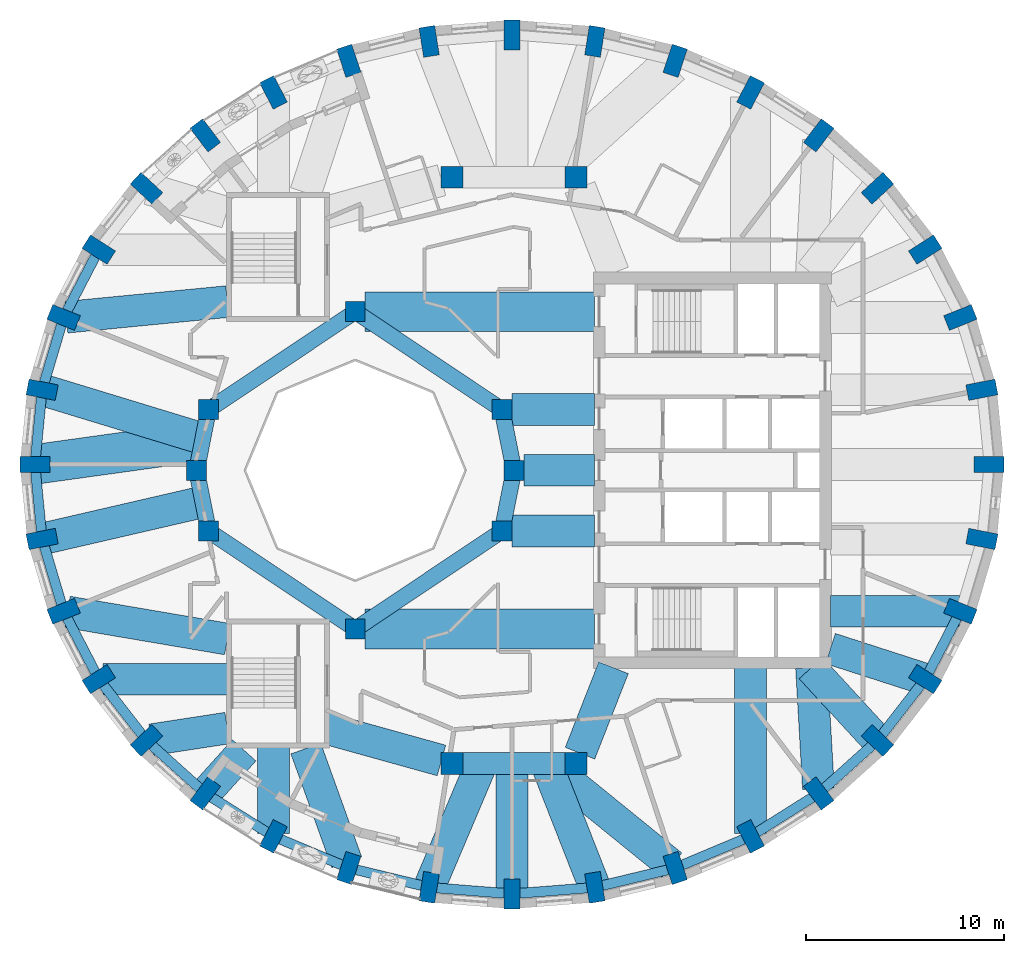
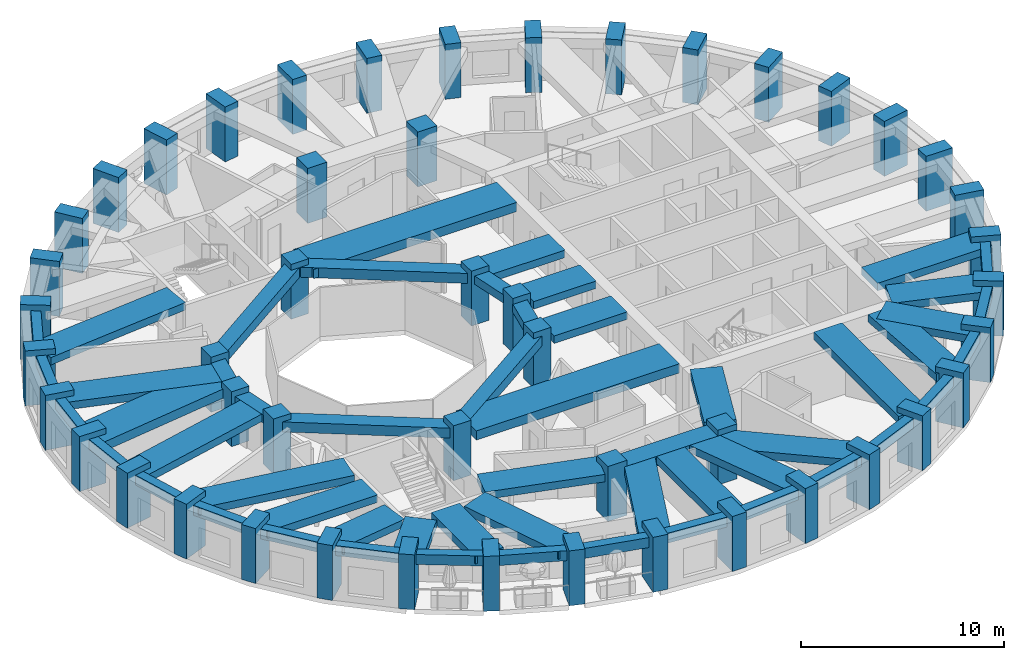
# One storey, part 1 of 12: 54 beams, 48 columns.
"""IFC4 building model written with IfcOpenShell, lengths in metres."""

from ifc_helpers import new_model, si_unit, direction, frame, origin, origin_2d, place, context, subcontext, project, spatial, rectangle, extrude, material, material_profile, profile_set, type_object, element, save


model = new_model("IFC4")

# Units and contexts
model_context = context("Model", 3, precision=1e-05, world=origin(), true_north=direction((0.0, 1.0)))
body_context = subcontext(model_context, "Body", "Model", "MODEL_VIEW")
ifc_project = project(units=[si_unit("LENGTHUNIT", "METRE"), si_unit("AREAUNIT", "SQUARE_METRE"), si_unit("VOLUMEUNIT", "CUBIC_METRE"), si_unit("PLANEANGLEUNIT", "RADIAN"), si_unit("MASSUNIT", "GRAM", prefix="KILO")], contexts=[model_context])

# Site, building, storey
site_placement = place(None, origin())
site = spatial("IfcSite", under=ifc_project, at=site_placement, CompositionType="ELEMENT")
building_placement = place(site_placement, origin())
building = spatial("IfcBuilding", under=site, at=building_placement, Name="Taillehof Tower", CompositionType="ELEMENT")
storey_placement = place(building_placement, frame((0.0, 0.0, 256.39990234375)))
storey = spatial("IfcBuildingStorey", under=building, at=storey_placement, Name="L73", CompositionType="ELEMENT", Elevation=256.39990234375)

# Columns
ifc_material_1 = material(Name="Concrete C50/60", Category="concrete")
ifc_material_profile_1 = material_profile(ifc_material_1, rectangle(XDim=1.0, YDim=1.0, at=origin_2d()), Name="RC 1000x1000")
ifc_profile_set_1 = profile_set([ifc_material_profile_1], Name="Concrete C50/60")
column_type_1 = type_object("IfcColumnType", Name="Atrium ring column C50/60 1000x1000", PredefinedType="COLUMN", material=ifc_profile_set_1)
for number, where, z_axis, x_axis, name in (
    (1, (0.0, 0.0, 0.0), (0.0, 0.0, 1.0), (1.0, 0.0, 0.0), "Column AC01"),
    (2, (-0.60888671875, 3.0615234375, 0.0), (0.0, 0.0, 1.0), (1.0, 0.0, 0.0), "Column AC02"),
    (3, (-8.0, 8.0, 0.0), (0.0, 0.0, 1.0), (1.0, 0.0, 0.0), "Column AC05"),
    (4, (-15.39111328125, 3.0615234375, 0.0), (0.0, 0.0, 1.0), (1.0, 0.0, 0.0), "Column AC08"),
    (5, (-16.0, 0.0, 0.0), (0.0, 0.0, 1.0), (1.0, 0.0, 0.0), "Column AC09"),
    (6, (-15.39111328125, -3.0615234375, 0.0), (0.0, 0.0, 1.0), (1.0, 0.0, 0.0), "Column AC10"),
    (7, (-8.0, -8.0, 0.0), (0.0, 0.0, 1.0), (1.0, 0.0, 0.0), "Column AC13"),
    (8, (-0.60888671875, -3.0615234375, 0.0), (0.0, 0.0, 1.0), (1.0, 0.0, 0.0), "Column AC16"),
):
    element("IfcColumn", number, at=place(storey_placement, frame(where, z_axis=z_axis, x_axis=x_axis)), inside=storey, type_object=column_type_1, Name=name, PredefinedType="COLUMN", context=body_context, shape_type="SweptSolid", body=[
        extrude(rectangle(XDim=1.0, YDim=1.0, at=origin_2d()), origin(), (0.0, 0.0, 1.0), 3.300048828125),
    ])
ifc_material_2 = material(Name="Concrete C50/60", Category="concrete")
ifc_material_profile_2 = material_profile(ifc_material_2, rectangle(XDim=1.10009765625, YDim=1.10009765625, at=origin_2d()), Name="RC 1100x1100")
ifc_profile_set_2 = profile_set([ifc_material_profile_2], Name="Concrete C50/60")
column_type_2 = type_object("IfcColumnType", Name="Mid-ring column C50/60 1100x1100", PredefinedType="COLUMN", material=ifc_profile_set_2)
for number, where, z_axis, x_axis, name in (
    (9, (3.125732421875, 14.772216796875, 0.0), (0.0, 0.0, 1.0), (1.0, 0.0, 0.0), "Column MC05"),
    (10, (-3.125732421875, 14.772216796875, 0.0), (0.0, 0.0, 1.0), (1.0, 0.0, 0.0), "Column MC06"),
    (11, (-3.125732421875, -14.772216796875, 0.0), (0.0, 0.0, 1.0), (1.0, 0.0, 0.0), "Column MC14"),
    (12, (3.125732421875, -14.772216796875, 0.0), (0.0, 0.0, 1.0), (1.0, 0.0, 0.0), "Column MC15"),
):
    element("IfcColumn", number, at=place(storey_placement, frame(where, z_axis=z_axis, x_axis=x_axis)), inside=storey, type_object=column_type_2, Name=name, PredefinedType="COLUMN", context=body_context, shape_type="SweptSolid", body=[
        extrude(rectangle(XDim=1.10009765625, YDim=1.10009765625, at=origin_2d()), origin(), (0.0, 0.0, 1.0), 3.300048828125),
    ])
ifc_material_3 = material(Name="Concrete C50/60", Category="concrete")
ifc_material_profile_3 = material_profile(ifc_material_3, rectangle(XDim=1.5, YDim=0.800048828125, at=origin_2d()), Name="RC 1500x800")
ifc_profile_set_3 = profile_set([ifc_material_profile_3], Name="Concrete C50/60")
column_type_3 = type_object("IfcColumnType", Name="Ring column C50/60 1500x800", PredefinedType="COLUMN", material=ifc_profile_set_3)
for number, where, z_axis, x_axis, name in (
    (13, (23.949951171875, 0.300048828125, 0.0), (0.0, 0.0, 1.0), (1.0, 0.0, 0.0), "Ring column RC01"),
    (14, (23.584716796875, 4.0595703125, 0.0), (0.0, 0.0, 1.0), (0.981472639166, 0.191602344891, 0.0), "Ring column RC02"),
    (15, (22.49951171875, 7.704833984375, 0.0), (0.0, 0.0, 1.0), (0.927524694272, 0.373761878092, 0.0), "Ring column RC03"),
    (16, (20.72802734375, 11.125, 0.0), (0.0, 0.0, 1.0), (0.842573772535, 0.538580948267, 0.0), "Ring column RC04"),
    (17, (18.323486328125, 14.21630859375, 0.0), (0.0, 0.0, 1.0), (0.73263579998, 0.680620881686, 0.0), "Ring column RC05"),
    (18, (15.359130859375, 16.884765625, 0.0), (0.0, 0.0, 1.0), (0.604020073066, 0.796969103123, 0.0), "Ring column RC06"),
    (19, (11.925048828125, 19.049560546875, 0.0), (0.0, 0.0, 1.0), (0.462383690865, 0.886679943622, 0.0), "Ring column RC07"),
    (20, (8.12548828125, 20.644287109375, 0.0), (0.0, 0.0, 1.0), (0.312304079287, 0.949982190391, 0.0), "Ring column RC08"),
    (21, (4.076171875, 21.62109375, 0.0), (0.0, 0.0, 1.0), (0.1572808136, 0.987553920388, 0.0), "Ring column RC09"),
    (22, (-0.10009765625, 21.949951171875, 0.0), (0.0, 0.0, 1.0), (0.0, 1.0, 0.0), "Ring column RC10"),
    (23, (-4.276123046875, 21.62109375, 0.0), (0.0, 0.0, 1.0), (-0.1572808136, 0.987553920388, 0.0), "Ring column RC11"),
    (24, (-8.32568359375, 20.644287109375, 0.0), (0.0, 0.0, 1.0), (-0.312304079287, 0.949982190391, 0.0), "Ring column RC12"),
    (25, (-12.125, 19.049560546875, 0.0), (0.0, 0.0, 1.0), (-0.462383690865, 0.886679943622, 0.0), "Ring column RC13"),
    (26, (-15.55908203125, 16.884765625, 0.0), (0.0, 0.0, 1.0), (-0.604020073066, 0.796969103123, 0.0), "Ring column RC14"),
    (27, (-18.5234375, 14.21630859375, 0.0), (0.0, 0.0, 1.0), (-0.73263579998, 0.680620881686, 0.0), "Ring column RC15"),
    (28, (-20.927978515625, 11.125, 0.0), (0.0, 0.0, 1.0), (-0.842573772535, 0.538580948267, 0.0), "Ring column RC16"),
    (29, (-22.69970703125, 7.704833984375, 0.0), (0.0, 0.0, 1.0), (-0.927524694272, 0.373761878092, 0.0), "Ring column RC17"),
    (30, (-23.78466796875, 4.0595703125, 0.0), (0.0, 0.0, 1.0), (-0.981472639166, 0.191602344891, 0.0), "Ring column RC18"),
    (31, (-24.14990234375, 0.300048828125, 0.0), (0.0, 0.0, 1.0), (-1.0, 0.0, 0.0), "Ring column RC19"),
    (32, (-23.78466796875, -3.45947265625, 0.0), (0.0, 0.0, 1.0), (-0.981472639166, -0.191602344891, 0.0), "Ring column RC20"),
    (33, (-22.69970703125, -7.104736328125, 0.0), (0.0, 0.0, 1.0), (-0.927524694272, -0.373761878092, 0.0), "Ring column RC21"),
    (34, (-20.927978515625, -10.52490234375, 0.0), (0.0, 0.0, 1.0), (-0.842573772535, -0.538580948267, 0.0), "Ring column RC22"),
    (35, (-18.5234375, -13.616455078125, 0.0), (0.0, 0.0, 1.0), (-0.73263579998, -0.680620881686, 0.0), "Ring column RC23"),
    (36, (-15.55908203125, -16.284912109375, 0.0), (0.0, 0.0, 1.0), (-0.604020073066, -0.796969103123, 0.0), "Ring column RC24"),
    (37, (-12.125, -18.449462890625, 0.0), (0.0, 0.0, 1.0), (-0.462383690865, -0.886679943622, 0.0), "Ring column RC25"),
    (38, (-8.32568359375, -20.04443359375, 0.0), (0.0, 0.0, 1.0), (-0.312304079287, -0.949982190391, 0.0), "Ring column RC26"),
    (39, (-4.276123046875, -21.02099609375, 0.0), (0.0, 0.0, 1.0), (-0.1572808136, -0.987553920388, 0.0), "Ring column RC27"),
    (40, (-0.10009765625, -21.35009765625, 0.0), (0.0, 0.0, 1.0), (0.0, -1.0, 0.0), "Ring column RC28"),
    (41, (4.076171875, -21.02099609375, 0.0), (0.0, 0.0, 1.0), (0.1572808136, -0.987553920388, 0.0), "Ring column RC29"),
    (42, (8.12548828125, -20.04443359375, 0.0), (0.0, 0.0, 1.0), (0.312304079287, -0.949982190391, 0.0), "Ring column RC30"),
    (43, (11.925048828125, -18.449462890625, 0.0), (0.0, 0.0, 1.0), (0.462383690865, -0.886679943622, 0.0), "Ring column RC31"),
    (44, (15.359130859375, -16.284912109375, 0.0), (0.0, 0.0, 1.0), (0.604020073066, -0.796969103123, 0.0), "Ring column RC32"),
    (45, (18.323486328125, -13.616455078125, 0.0), (0.0, 0.0, 1.0), (0.73263579998, -0.680620881686, 0.0), "Ring column RC33"),
    (46, (20.72802734375, -10.52490234375, 0.0), (0.0, 0.0, 1.0), (0.842573772535, -0.538580948267, 0.0), "Ring column RC34"),
    (47, (22.49951171875, -7.104736328125, 0.0), (0.0, 0.0, 1.0), (0.927524694272, -0.373761878092, 0.0), "Ring column RC35"),
    (48, (23.584716796875, -3.45947265625, 0.0), (0.0, 0.0, 1.0), (0.981472639166, -0.191602344891, 0.0), "Ring column RC36"),
):
    element("IfcColumn", number, at=place(storey_placement, frame(where, z_axis=z_axis, x_axis=x_axis)), inside=storey, type_object=column_type_3, Name=name, PredefinedType="COLUMN", context=body_context, shape_type="SweptSolid", body=[
        extrude(rectangle(XDim=1.5, YDim=0.800048828125, at=origin_2d()), origin(), (0.0, 0.0, 1.0), 3.300048828125),
    ])

# Beams
ifc_material_4 = material(Name="Concrete C50/60", Category="concrete")
ifc_material_profile_4 = material_profile(ifc_material_4, rectangle(XDim=0.800048828125, YDim=0.5, at=origin_2d()), Name="RC 800x500")
ifc_profile_set_4 = profile_set([ifc_material_profile_4], Name="Concrete C50/60")
beam_type_1 = type_object("IfcBeamType", Name="Atrium ring beam C50/60 800x500", PredefinedType="BEAM", material=ifc_profile_set_4)
for number, where, z_axis, x_axis, name in (
    (49, (0.0, 0.0, 2.7001953125), (-0.195063155143, 0.980790683839, 0.0), (-0.980790683839, -0.195063155143, 0.0), "Atrium ring beam AB01"),
    (50, (-15.39111328125, 3.0615234375, 2.7001953125), (-0.195063155143, -0.980790683839, 0.0), (0.980790683839, -0.195063155143, 0.0), "Atrium ring beam AB04"),
    (51, (-16.0, 0.0, 2.7001953125), (0.195063155143, -0.980790683839, 0.0), (0.980790683839, 0.195063155143, 0.0), "Atrium ring beam AB05"),
    (52, (-0.60888671875, -3.0615234375, 2.7001953125), (0.195063155143, 0.980790683839, 0.0), (-0.980790683839, 0.195063155143, 0.0), "Atrium ring beam AB08"),
):
    element("IfcBeam", number, at=place(storey_placement, frame(where, z_axis=z_axis, x_axis=x_axis)), inside=storey, type_object=beam_type_1, Name=name, PredefinedType="BEAM", context=body_context, shape_type="SweptSolid", body=[
        extrude(rectangle(XDim=0.800048828125, YDim=0.5, at=origin_2d()), origin(), (0.0, 0.0, 1.0), 3.12158203125),
    ])
ifc_material_5 = material(Name="Concrete C50/60", Category="concrete")
ifc_material_profile_5 = material_profile(ifc_material_5, rectangle(XDim=0.800048828125, YDim=0.60009765625, at=origin_2d()), Name="RC 800x600")
ifc_profile_set_5 = profile_set([ifc_material_profile_5], Name="Concrete C50/60")
beam_type_2 = type_object("IfcBeamType", Name="Atrium ring beam C50/60 800x600", PredefinedType="BEAM", material=ifc_profile_set_5)
for number, where, z_axis, x_axis, name in (
    (53, (-0.60888671875, 3.0615234375, 2.650146484375), (-0.831475195687, 0.555561876804, 0.0), (-0.555561876804, -0.831475195687, 0.0), "Atrium ring beam AB02"),
    (54, (-8.0, 8.0, 2.650146484375), (-0.831475195687, -0.555561876804, 0.0), (0.555561876804, -0.831475195687, 0.0), "Atrium ring beam AB03"),
    (55, (-15.39111328125, -3.0615234375, 2.650146484375), (0.831475195687, -0.555561876804, 0.0), (0.555561876804, 0.831475195687, 0.0), "Atrium ring beam AB06"),
    (56, (-8.0, -8.0, 2.650146484375), (0.831475195687, 0.555561876804, 0.0), (-0.555561876804, 0.831475195687, 0.0), "Atrium ring beam AB07"),
):
    element("IfcBeam", number, at=place(storey_placement, frame(where, z_axis=z_axis, x_axis=x_axis)), inside=storey, type_object=beam_type_2, Name=name, PredefinedType="BEAM", context=body_context, shape_type="SweptSolid", body=[
        extrude(rectangle(XDim=0.800048828125, YDim=0.60009765625, at=origin_2d()), origin(), (0.0, 0.0, 1.0), 8.88916015625),
    ])
ifc_material_6 = material(Name="Concrete C50/60", Category="concrete")
ifc_material_profile_6 = material_profile(ifc_material_6, rectangle(XDim=1.10009765625, YDim=0.60009765625, at=origin_2d()), Name="RC 1100x600")
ifc_profile_set_6 = profile_set([ifc_material_profile_6], Name="Concrete C50/60")
beam_type_3 = type_object("IfcBeamType", Name="Mid-ring beam C50/60 1100x600", PredefinedType="BEAM", material=ifc_profile_set_6)
beam_1_placement = place(storey_placement, frame((-3.125732421875, -14.772216796875, 2.650146484375), z_axis=(1.0, 0.0, 0.0), x_axis=(0.0, 1.0, 0.0)))
element("IfcBeam", 57, at=beam_1_placement, inside=storey, type_object=beam_type_3, Name="Mid-ring beam MB02", PredefinedType="BEAM", context=body_context, shape_type="SweptSolid", body=[
    extrude(rectangle(XDim=1.10009765625, YDim=0.60009765625, at=origin_2d()), origin(), (0.0, 0.0, 1.0), 6.25146484375),
])
ifc_material_7 = material(Name="Concrete C50/60", Category="concrete")
ifc_material_profile_7 = material_profile(ifc_material_7, rectangle(XDim=1.60009765625, YDim=0.449951171875, at=origin_2d()), Name="RC 1600x450")
ifc_profile_set_7 = profile_set([ifc_material_profile_7], Name="Concrete C50/60")
beam_type_4 = type_object("IfcBeamType", Name="Radial band beam C50/60 1600x450", PredefinedType="BEAM", material=ifc_profile_set_7)
beam_2_placement = place(storey_placement, frame((-22.564697265625, 7.7177734375, 2.72509765625), z_axis=(0.995328408647, 0.096547185049, 0.0), x_axis=(-0.096547185049, 0.995328408647, 0.0)))
element("IfcBeam", 58, at=beam_2_placement, inside=storey, type_object=beam_type_4, Name="Radial band beam RB17", PredefinedType="BEAM", context=body_context, shape_type="SweptSolid", body=[
    extrude(rectangle(XDim=1.60009765625, YDim=0.449951171875, at=origin_2d()), origin(), (0.0, 0.0, 1.0), 8.152587890625),
])
beam_3_placement = place(storey_placement, frame((-23.78466796875, 4.0595703125, 2.72509765625), z_axis=(0.956552302924, -0.291560785721, 0.0), x_axis=(0.291560785721, 0.956552302924, 0.0)))
element("IfcBeam", 59, at=beam_3_placement, inside=storey, type_object=beam_type_4, Name="Radial band beam RB18", PredefinedType="BEAM", context=body_context, shape_type="SweptSolid", body=[
    extrude(rectangle(XDim=1.60009765625, YDim=0.449951171875, at=origin_2d()), origin(), (0.0, 0.0, 1.0), 8.468994140625),
])
beam_4_placement = place(storey_placement, frame((-23.78466796875, -3.45947265625, 2.72509765625), z_axis=(0.974400103511, 0.224820902672, 0.0), x_axis=(-0.224820902672, 0.974400103511, 0.0)))
element("IfcBeam", 60, at=beam_4_placement, inside=storey, type_object=beam_type_4, Name="Radial band beam RB20", PredefinedType="BEAM", context=body_context, shape_type="SweptSolid", body=[
    extrude(rectangle(XDim=1.60009765625, YDim=0.449951171875, at=origin_2d()), origin(), (0.0, 0.0, 1.0), 8.31396484375),
])
beam_5_placement = place(storey_placement, frame((-22.502685546875, -7.13818359375, 2.72509765625), z_axis=(0.985830005482, -0.167747430059, 0.0), x_axis=(0.167747430059, 0.985830005482, 0.0)))
element("IfcBeam", 61, at=beam_5_placement, inside=storey, type_object=beam_type_4, Name="Radial band beam RB21", PredefinedType="BEAM", context=body_context, shape_type="SweptSolid", body=[
    extrude(rectangle(XDim=1.60009765625, YDim=0.449951171875, at=origin_2d()), origin(), (0.0, 0.0, 1.0), 8.167724609375),
])
beam_6_placement = place(storey_placement, frame((-20.7119140625, -10.52490234375, 2.72509765625), z_axis=(1.0, 0.0, 0.0), x_axis=(0.0, 1.0, 0.0)))
element("IfcBeam", 62, at=beam_6_placement, inside=storey, type_object=beam_type_4, Name="Radial band beam RB22", PredefinedType="BEAM", context=body_context, shape_type="SweptSolid", body=[
    extrude(rectangle(XDim=1.60009765625, YDim=0.449951171875, at=origin_2d()), origin(), (0.0, 0.0, 1.0), 6.261962890625),
])
beam_7_placement = place(storey_placement, frame((-18.283447265625, -13.57958984375, 2.72509765625), z_axis=(0.988468308682, 0.151427879634, 0.0), x_axis=(-0.151427879634, 0.988468308682, 0.0)))
element("IfcBeam", 63, at=beam_7_placement, inside=storey, type_object=beam_type_4, Name="Radial band beam RB23", PredefinedType="BEAM", context=body_context, shape_type="SweptSolid", body=[
    extrude(rectangle(XDim=1.60009765625, YDim=0.449951171875, at=origin_2d()), origin(), (0.0, 0.0, 1.0), 3.87744140625),
])
beam_8_placement = place(storey_placement, frame((-15.55908203125, -16.284912109375, 2.72509765625), z_axis=(0.669439419649, 0.742866652516, 0.0), x_axis=(-0.742866652516, 0.669439419649, 0.0)))
element("IfcBeam", 64, at=beam_8_placement, inside=storey, type_object=beam_type_4, Name="Radial band beam RB24", PredefinedType="BEAM", context=body_context, shape_type="SweptSolid", body=[
    extrude(rectangle(XDim=1.60009765625, YDim=0.449951171875, at=origin_2d()), origin(), (0.0, 0.0, 1.0), 2.926025390625),
])
beam_9_placement = place(storey_placement, frame((-12.125, -18.3154296875, 2.72509765625), z_axis=(0.0, 1.0, 0.0), x_axis=(-1.0, 0.0, 0.0)))
element("IfcBeam", 65, at=beam_9_placement, inside=storey, type_object=beam_type_4, Name="Radial band beam RB25", PredefinedType="BEAM", context=body_context, shape_type="SweptSolid", body=[
    extrude(rectangle(XDim=1.60009765625, YDim=0.449951171875, at=origin_2d()), origin(), (0.0, 0.0, 1.0), 4.365478515625),
])
beam_10_placement = place(storey_placement, frame((-8.42919921875, -19.755859375, 2.72509765625), z_axis=(-0.338515207556, 0.940960920683, 0.0), x_axis=(-0.940960920683, -0.338515207556, 0.0)))
element("IfcBeam", 66, at=beam_10_placement, inside=storey, type_object=beam_type_4, Name="Radial band beam RB26", PredefinedType="BEAM", context=body_context, shape_type="SweptSolid", body=[
    extrude(rectangle(XDim=1.60009765625, YDim=0.449951171875, at=origin_2d()), origin(), (0.0, 0.0, 1.0), 6.094970703125),
])
beam_11_placement = place(storey_placement, frame((-4.276123046875, -21.02099609375, 2.72509765625), z_axis=(0.390474101739, 0.920613912491, 0.0), x_axis=(-0.920613912491, 0.390474101739, 0.0)))
element("IfcBeam", 67, at=beam_11_placement, inside=storey, type_object=beam_type_4, Name="Radial band beam RB27", PredefinedType="BEAM", context=body_context, shape_type="SweptSolid", body=[
    extrude(rectangle(XDim=1.60009765625, YDim=0.449951171875, at=origin_2d()), origin(), (0.0, 0.0, 1.0), 6.78759765625),
])
beam_12_placement = place(storey_placement, frame((-0.10009765625, -21.35009765625, 2.72509765625), z_axis=(0.0, 1.0, 0.0), x_axis=(-1.0, 0.0, 0.0)))
element("IfcBeam", 68, at=beam_12_placement, inside=storey, type_object=beam_type_4, Name="Radial band beam RB28", PredefinedType="BEAM", context=body_context, shape_type="SweptSolid", body=[
    extrude(rectangle(XDim=1.60009765625, YDim=0.449951171875, at=origin_2d()), origin(), (0.0, 0.0, 1.0), 6.577880859375),
])
beam_13_placement = place(storey_placement, frame((4.076171875, -21.02099609375, 2.72509765625), z_axis=(-0.365079492969, 0.93097634976, 0.0), x_axis=(-0.93097634976, -0.365079492969, 0.0)))
element("IfcBeam", 69, at=beam_13_placement, inside=storey, type_object=beam_type_4, Name="Radial band beam RB29", PredefinedType="BEAM", context=body_context, shape_type="SweptSolid", body=[
    extrude(rectangle(XDim=1.60009765625, YDim=0.449951171875, at=origin_2d()), origin(), (0.0, 0.0, 1.0), 6.712158203125),
])
beam_14_placement = place(storey_placement, frame((7.9560546875, -19.90673828125, 2.72509765625), z_axis=(-0.776646099525, 0.629937168369, 0.0), x_axis=(-0.629937168369, -0.776646099525, 0.0)))
element("IfcBeam", 70, at=beam_14_placement, inside=storey, type_object=beam_type_4, Name="Radial band beam RB30", PredefinedType="BEAM", context=body_context, shape_type="SweptSolid", body=[
    extrude(rectangle(XDim=1.60009765625, YDim=0.449951171875, at=origin_2d()), origin(), (0.0, 0.0, 1.0), 8.03759765625),
])
beam_15_placement = place(storey_placement, frame((11.925048828125, -18.3154296875, 2.72509765625), z_axis=(0.0, 1.0, 0.0), x_axis=(-1.0, 0.0, 0.0)))
element("IfcBeam", 71, at=beam_15_placement, inside=storey, type_object=beam_type_4, Name="Radial band beam RB31", PredefinedType="BEAM", context=body_context, shape_type="SweptSolid", body=[
    extrude(rectangle(XDim=1.60009765625, YDim=0.449951171875, at=origin_2d()), origin(), (0.0, 0.0, 1.0), 8.365478515625),
])
beam_16_placement = place(storey_placement, frame((15.345703125, -16.050537109375, 2.72509765625), z_axis=(-0.057056617778, 0.998370944273, 0.0), x_axis=(-0.998370944273, -0.057056617778, 0.0)))
element("IfcBeam", 72, at=beam_16_placement, inside=storey, type_object=beam_type_4, Name="Radial band beam RB32", PredefinedType="BEAM", context=body_context, shape_type="SweptSolid", body=[
    extrude(rectangle(XDim=1.60009765625, YDim=0.449951171875, at=origin_2d()), origin(), (0.0, 0.0, 1.0), 6.1103515625),
])
beam_17_placement = place(storey_placement, frame((18.323486328125, -13.616455078125, 2.72509765625), z_axis=(-0.676659897365, 0.736295717289, 0.0), x_axis=(-0.736295717289, -0.676659897365, 0.0)))
element("IfcBeam", 73, at=beam_17_placement, inside=storey, type_object=beam_type_4, Name="Radial band beam RB33", PredefinedType="BEAM", context=body_context, shape_type="SweptSolid", body=[
    extrude(rectangle(XDim=1.60009765625, YDim=0.449951171875, at=origin_2d()), origin(), (0.0, 0.0, 1.0), 4.961669921875),
])
beam_18_placement = place(storey_placement, frame((20.72802734375, -10.52490234375, 2.72509765625), z_axis=(-0.951722832358, 0.306958711178, 0.0), x_axis=(-0.306958711178, -0.951722832358, 0.0)))
element("IfcBeam", 74, at=beam_18_placement, inside=storey, type_object=beam_type_4, Name="Radial band beam RB34", PredefinedType="BEAM", context=body_context, shape_type="SweptSolid", body=[
    extrude(rectangle(XDim=1.60009765625, YDim=0.449951171875, at=origin_2d()), origin(), (0.0, 0.0, 1.0), 5.017822265625),
])
beam_19_placement = place(storey_placement, frame((22.44580078125, -7.104736328125, 2.72509765625), z_axis=(-1.0, 0.0, 0.0), x_axis=(0.0, -1.0, 0.0)))
element("IfcBeam", 75, at=beam_19_placement, inside=storey, type_object=beam_type_4, Name="Radial band beam RB35", PredefinedType="BEAM", context=body_context, shape_type="SweptSolid", body=[
    extrude(rectangle(XDim=1.60009765625, YDim=0.449951171875, at=origin_2d()), origin(), (0.0, 0.0, 1.0), 6.495849609375),
])
beam_20_placement = place(storey_placement, frame((0.5, 0.0, 2.72509765625), z_axis=(1.0, 0.0, 0.0), x_axis=(0.0, 1.0, 0.0)))
element("IfcBeam", 76, at=beam_20_placement, inside=storey, type_object=beam_type_4, Name="Inner band beam IB101", PredefinedType="BEAM", context=body_context, shape_type="SweptSolid", body=[
    extrude(rectangle(XDim=1.60009765625, YDim=0.449951171875, at=origin_2d()), origin(), (0.0, 0.0, 1.0), 3.550048828125),
])
for number, where, z_axis, x_axis, name in (
    (77, (-0.10888671875, 3.0615234375, 2.72509765625), (1.0, 0.0, 0.0), (0.0, 1.0, 0.0), "Inner band beam IB102"),
    (78, (-0.10888671875, -3.0615234375, 2.72509765625), (1.0, 0.0, 0.0), (0.0, 1.0, 0.0), "Inner band beam IB116"),
):
    element("IfcBeam", number, at=place(storey_placement, frame(where, z_axis=z_axis, x_axis=x_axis)), inside=storey, type_object=beam_type_4, Name=name, PredefinedType="BEAM", context=body_context, shape_type="SweptSolid", body=[
        extrude(rectangle(XDim=1.60009765625, YDim=0.449951171875, at=origin_2d()), origin(), (0.0, 0.0, 1.0), 4.158935546875),
    ])
beam_21_placement = place(storey_placement, frame((-3.655517578125, -14.624755859375, 2.72509765625), z_axis=(-0.963459369536, 0.267854518821, 0.0), x_axis=(-0.267854518821, -0.963459369536, 0.0)))
element("IfcBeam", 79, at=beam_21_placement, inside=storey, type_object=beam_type_4, Name="Inner band beam IB214", PredefinedType="BEAM", context=body_context, shape_type="SweptSolid", body=[
    extrude(rectangle(XDim=1.60009765625, YDim=0.449951171875, at=origin_2d()), origin(), (0.0, 0.0, 1.0), 6.096923828125),
])
beam_22_placement = place(storey_placement, frame((3.32666015625, -14.26025390625, 2.72509765625), z_axis=(0.365588707223, 0.930776502255, 0.0), x_axis=(-0.930776502255, 0.365588707223, 0.0)))
element("IfcBeam", 80, at=beam_22_placement, inside=storey, type_object=beam_type_4, Name="Inner band beam IB215", PredefinedType="BEAM", context=body_context, shape_type="SweptSolid", body=[
    extrude(rectangle(XDim=1.60009765625, YDim=0.449951171875, at=origin_2d()), origin(), (0.0, 0.0, 1.0), 4.627197265625),
])
ifc_material_8 = material(Name="Concrete C50/60", Category="concrete")
ifc_material_profile_8 = material_profile(ifc_material_8, rectangle(XDim=2.0, YDim=0.550048828125, at=origin_2d()), Name="RC 2000x550")
ifc_profile_set_8 = profile_set([ifc_material_profile_8], Name="Concrete C50/60")
beam_type_5 = type_object("IfcBeamType", Name="Radial band beam C50/60 2000x550", PredefinedType="BEAM", material=ifc_profile_set_8)
beam_23_placement = place(storey_placement, frame((-24.14990234375, 0.300048828125, 2.675048828125), z_axis=(0.990515351696, 0.137402103528, 0.0), x_axis=(-0.137402103528, 0.990515351696, 0.0)))
element("IfcBeam", 81, at=beam_23_placement, inside=storey, type_object=beam_type_5, Name="Radial band beam RB19", PredefinedType="BEAM", context=body_context, shape_type="SweptSolid", body=[
    extrude(rectangle(XDim=2.0, YDim=0.550048828125, at=origin_2d()), origin(), (0.0, 0.0, 1.0), 8.5234375),
])
for number, where, z_axis, x_axis, name in (
    (82, (-7.5, 8.0, 2.675048828125), (1.0, 0.0, 0.0), (0.0, 1.0, 0.0), "Inner band beam IB105"),
    (83, (-7.5, -8.0, 2.675048828125), (1.0, 0.0, 0.0), (0.0, 1.0, 0.0), "Inner band beam IB113"),
):
    element("IfcBeam", number, at=place(storey_placement, frame(where, z_axis=z_axis, x_axis=x_axis)), inside=storey, type_object=beam_type_5, Name=name, PredefinedType="BEAM", context=body_context, shape_type="SweptSolid", body=[
        extrude(rectangle(XDim=2.0, YDim=0.550048828125, at=origin_2d()), origin(), (0.0, 0.0, 1.0), 11.550048828125),
    ])
ifc_material_9 = material(Name="Concrete C50/60", Category="concrete")
ifc_material_profile_9 = material_profile(ifc_material_9, rectangle(XDim=0.5, YDim=0.60009765625, at=origin_2d()), Name="RC 500x600")
ifc_profile_set_9 = profile_set([ifc_material_profile_9], Name="Concrete C50/60")
beam_type_6 = type_object("IfcBeamType", Name="Spandrel beam C50/60 500x600", PredefinedType="SPANDREL", material=ifc_profile_set_9)
beam_24_placement = place(storey_placement, frame((-20.927978515625, 11.125, 2.650146484375), z_axis=(-0.459971160554, -0.88793385534, 0.0), x_axis=(0.88793385534, -0.459971160554, 0.0)))
element("IfcBeam", 84, at=beam_24_placement, inside=storey, type_object=beam_type_6, Name="Spandrel beam SB16", PredefinedType="SPANDREL", context=body_context, shape_type="SweptSolid", body=[
    extrude(rectangle(XDim=0.5, YDim=0.60009765625, at=origin_2d()), origin(), (0.0, 0.0, 1.0), 3.851806640625),
])
beam_25_placement = place(storey_placement, frame((-22.69970703125, 7.704833984375, 2.650146484375), z_axis=(-0.285268336874, -0.958447690788, 0.0), x_axis=(0.958447690788, -0.285268336874, 0.0)))
element("IfcBeam", 85, at=beam_25_placement, inside=storey, type_object=beam_type_6, Name="Spandrel beam SB17", PredefinedType="SPANDREL", context=body_context, shape_type="SweptSolid", body=[
    extrude(rectangle(XDim=0.5, YDim=0.60009765625, at=origin_2d()), origin(), (0.0, 0.0, 1.0), 3.80322265625),
])
for number, where, z_axis, x_axis, name in (
    (86, (-23.78466796875, 4.0595703125, 2.650146484375), (-0.096693940319, -0.995314162416, 0.0), (0.995314162416, -0.096693940319, 0.0), "Spandrel beam SB18"),
    (87, (-24.14990234375, 0.300048828125, 2.650146484375), (0.096693940319, -0.995314162416, 0.0), (0.995314162416, 0.096693940319, 0.0), "Spandrel beam SB19"),
):
    element("IfcBeam", number, at=place(storey_placement, frame(where, z_axis=z_axis, x_axis=x_axis)), inside=storey, type_object=beam_type_6, Name=name, PredefinedType="SPANDREL", context=body_context, shape_type="SweptSolid", body=[
        extrude(rectangle(XDim=0.5, YDim=0.60009765625, at=origin_2d()), origin(), (0.0, 0.0, 1.0), 3.777099609375),
    ])
beam_26_placement = place(storey_placement, frame((-23.78466796875, -3.45947265625, 2.650146484375), z_axis=(0.285268336874, -0.958447690788, 0.0), x_axis=(0.958447690788, 0.285268336874, 0.0)))
element("IfcBeam", 88, at=beam_26_placement, inside=storey, type_object=beam_type_6, Name="Spandrel beam SB20", PredefinedType="SPANDREL", context=body_context, shape_type="SweptSolid", body=[
    extrude(rectangle(XDim=0.5, YDim=0.60009765625, at=origin_2d()), origin(), (0.0, 0.0, 1.0), 3.80322265625),
])
beam_27_placement = place(storey_placement, frame((-22.69970703125, -7.104736328125, 2.650146484375), z_axis=(0.459971160554, -0.88793385534, 0.0), x_axis=(0.88793385534, 0.459971160554, 0.0)))
element("IfcBeam", 89, at=beam_27_placement, inside=storey, type_object=beam_type_6, Name="Spandrel beam SB21", PredefinedType="SPANDREL", context=body_context, shape_type="SweptSolid", body=[
    extrude(rectangle(XDim=0.5, YDim=0.60009765625, at=origin_2d()), origin(), (0.0, 0.0, 1.0), 3.851806640625),
])
beam_28_placement = place(storey_placement, frame((-20.927978515625, -10.52490234375, 2.650146484375), z_axis=(0.613940613515, -0.789352217376, 0.0), x_axis=(0.789352217376, 0.613940613515, 0.0)))
element("IfcBeam", 90, at=beam_28_placement, inside=storey, type_object=beam_type_6, Name="Spandrel beam SB22", PredefinedType="SPANDREL", context=body_context, shape_type="SweptSolid", body=[
    extrude(rectangle(XDim=0.5, YDim=0.60009765625, at=origin_2d()), origin(), (0.0, 0.0, 1.0), 3.91650390625),
])
beam_29_placement = place(storey_placement, frame((-18.5234375, -13.616455078125, 2.650146484375), z_axis=(0.743227182134, -0.669039128704, 0.0), x_axis=(0.669039128704, 0.743227182134, 0.0)))
element("IfcBeam", 91, at=beam_29_placement, inside=storey, type_object=beam_type_6, Name="Spandrel beam SB23", PredefinedType="SPANDREL", context=body_context, shape_type="SweptSolid", body=[
    extrude(rectangle(XDim=0.5, YDim=0.60009765625, at=origin_2d()), origin(), (0.0, 0.0, 1.0), 3.988525390625),
])
beam_30_placement = place(storey_placement, frame((-15.55908203125, -16.284912109375, 2.650146484375), z_axis=(0.845971606716, -0.533227944344, 0.0), x_axis=(0.533227944344, 0.845971606716, 0.0)))
element("IfcBeam", 92, at=beam_30_placement, inside=storey, type_object=beam_type_6, Name="Spandrel beam SB24", PredefinedType="SPANDREL", context=body_context, shape_type="SweptSolid", body=[
    extrude(rectangle(XDim=0.5, YDim=0.60009765625, at=origin_2d()), origin(), (0.0, 0.0, 1.0), 4.059326171875),
])
beam_31_placement = place(storey_placement, frame((-12.125, -18.449462890625, 2.650146484375), z_axis=(0.922046399446, -0.387079368178, 0.0), x_axis=(0.387079368178, 0.922046399446, 0.0)))
element("IfcBeam", 93, at=beam_31_placement, inside=storey, type_object=beam_type_6, Name="Spandrel beam SB25", PredefinedType="SPANDREL", context=body_context, shape_type="SweptSolid", body=[
    extrude(rectangle(XDim=0.5, YDim=0.60009765625, at=origin_2d()), origin(), (0.0, 0.0, 1.0), 4.12060546875),
])
beam_32_placement = place(storey_placement, frame((-8.32568359375, -20.04443359375, 2.650146484375), z_axis=(0.972132431202, -0.234432370218, 0.0), x_axis=(0.234432370218, 0.972132431202, 0.0)))
element("IfcBeam", 94, at=beam_32_placement, inside=storey, type_object=beam_type_6, Name="Spandrel beam SB26", PredefinedType="SPANDREL", context=body_context, shape_type="SweptSolid", body=[
    extrude(rectangle(XDim=0.5, YDim=0.60009765625, at=origin_2d()), origin(), (0.0, 0.0, 1.0), 4.16552734375),
])
beam_33_placement = place(storey_placement, frame((-4.276123046875, -21.02099609375, 2.650146484375), z_axis=(0.996909089392, -0.078563779743, 0.0), x_axis=(0.078563779743, 0.996909089392, 0.0)))
element("IfcBeam", 95, at=beam_33_placement, inside=storey, type_object=beam_type_6, Name="Spandrel beam SB27", PredefinedType="SPANDREL", context=body_context, shape_type="SweptSolid", body=[
    extrude(rectangle(XDim=0.5, YDim=0.60009765625, at=origin_2d()), origin(), (0.0, 0.0, 1.0), 4.18896484375),
])
beam_34_placement = place(storey_placement, frame((-0.10009765625, -21.35009765625, 2.650146484375), z_axis=(0.996909449091, 0.078559215326, 0.0), x_axis=(-0.078559215326, 0.996909449091, 0.0)))
element("IfcBeam", 96, at=beam_34_placement, inside=storey, type_object=beam_type_6, Name="Spandrel beam SB28", PredefinedType="SPANDREL", context=body_context, shape_type="SweptSolid", body=[
    extrude(rectangle(XDim=0.5, YDim=0.60009765625, at=origin_2d()), origin(), (0.0, 0.0, 1.0), 4.189208984375),
])
beam_35_placement = place(storey_placement, frame((4.076171875, -21.02099609375, 2.650146484375), z_axis=(0.972129209911, 0.234445727701, 0.0), x_axis=(-0.234445727701, 0.972129209911, 0.0)))
element("IfcBeam", 97, at=beam_35_placement, inside=storey, type_object=beam_type_6, Name="Spandrel beam SB29", PredefinedType="SPANDREL", context=body_context, shape_type="SweptSolid", body=[
    extrude(rectangle(XDim=0.5, YDim=0.60009765625, at=origin_2d()), origin(), (0.0, 0.0, 1.0), 4.16552734375),
])
beam_36_placement = place(storey_placement, frame((8.12548828125, -20.04443359375, 2.650146484375), z_axis=(0.922055276152, 0.38705822265, 0.0), x_axis=(-0.38705822265, 0.922055276152, 0.0)))
element("IfcBeam", 98, at=beam_36_placement, inside=storey, type_object=beam_type_6, Name="Spandrel beam SB30", PredefinedType="SPANDREL", context=body_context, shape_type="SweptSolid", body=[
    extrude(rectangle(XDim=0.5, YDim=0.60009765625, at=origin_2d()), origin(), (0.0, 0.0, 1.0), 4.120849609375),
])
beam_37_placement = place(storey_placement, frame((11.925048828125, -18.449462890625, 2.650146484375), z_axis=(0.845971606716, 0.533227944344, 0.0), x_axis=(-0.533227944344, 0.845971606716, 0.0)))
element("IfcBeam", 99, at=beam_37_placement, inside=storey, type_object=beam_type_6, Name="Spandrel beam SB31", PredefinedType="SPANDREL", context=body_context, shape_type="SweptSolid", body=[
    extrude(rectangle(XDim=0.5, YDim=0.60009765625, at=origin_2d()), origin(), (0.0, 0.0, 1.0), 4.059326171875),
])
beam_38_placement = place(storey_placement, frame((15.359130859375, -16.284912109375, 2.650146484375), z_axis=(0.743227182134, 0.669039128704, 0.0), x_axis=(-0.669039128704, 0.743227182134, 0.0)))
element("IfcBeam", 100, at=beam_38_placement, inside=storey, type_object=beam_type_6, Name="Spandrel beam SB32", PredefinedType="SPANDREL", context=body_context, shape_type="SweptSolid", body=[
    extrude(rectangle(XDim=0.5, YDim=0.60009765625, at=origin_2d()), origin(), (0.0, 0.0, 1.0), 3.988525390625),
])
beam_39_placement = place(storey_placement, frame((18.323486328125, -13.616455078125, 2.650146484375), z_axis=(0.613940613515, 0.789352217376, 0.0), x_axis=(-0.789352217376, 0.613940613515, 0.0)))
element("IfcBeam", 101, at=beam_39_placement, inside=storey, type_object=beam_type_6, Name="Spandrel beam SB33", PredefinedType="SPANDREL", context=body_context, shape_type="SweptSolid", body=[
    extrude(rectangle(XDim=0.5, YDim=0.60009765625, at=origin_2d()), origin(), (0.0, 0.0, 1.0), 3.91650390625),
])
beam_40_placement = place(storey_placement, frame((20.72802734375, -10.52490234375, 2.650146484375), z_axis=(0.45992118545, 0.887959741865, 0.0), x_axis=(-0.887959741865, 0.45992118545, 0.0)))
element("IfcBeam", 102, at=beam_40_placement, inside=storey, type_object=beam_type_6, Name="Spandrel beam SB34", PredefinedType="SPANDREL", context=body_context, shape_type="SweptSolid", body=[
    extrude(rectangle(XDim=0.5, YDim=0.60009765625, at=origin_2d()), origin(), (0.0, 0.0, 1.0), 3.851806640625),
])

save(model, "model.ifc")
